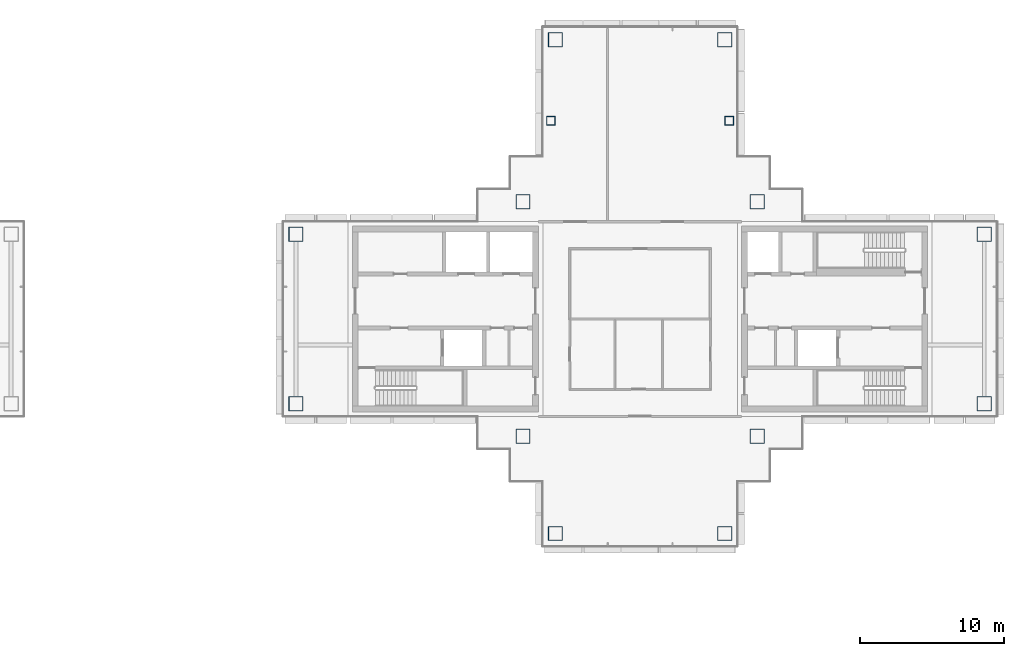
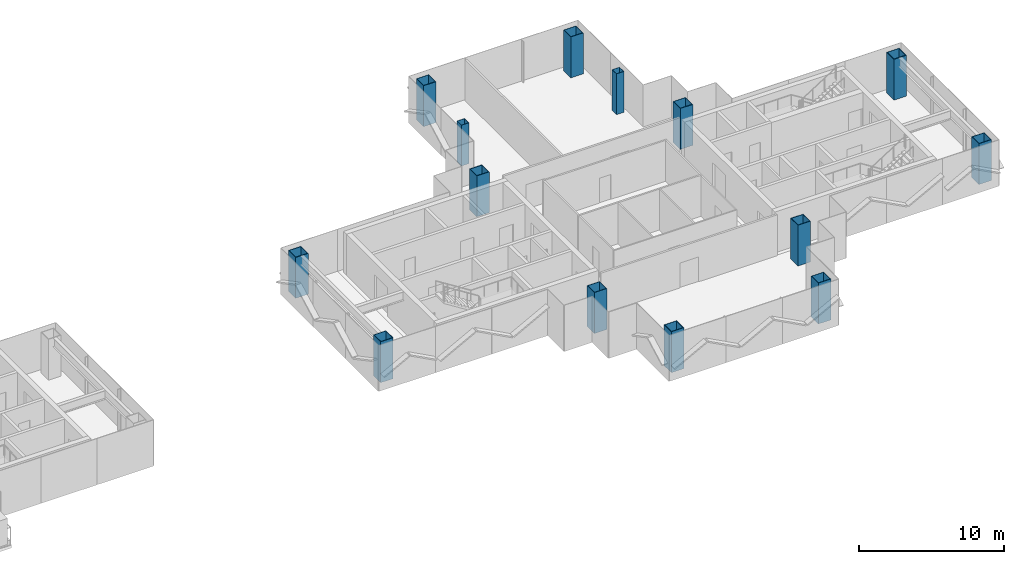
# One storey, part 2 of 17: 14 columns.
"""IFC4 building model written with IfcOpenShell, lengths in metres."""

import ifcopenshell
import ifcopenshell.guid

model = None  # the IFC model being written
_history = None  # IfcOwnerHistory: only IFC2X3 demands one
_inside = {}  # id of a spatial element -> (the spatial element, [elements in it])
_under = {}  # id of a project, library or spatial element -> (it, [spatial elements below it])
_declared = {}  # id of a project -> (the project, [libraries it declares])
_typed = {}  # id of a type object -> (the type object, [elements of that type])
_made_of = {}  # id of a material, layer set ... -> (it, [elements and type objects made of it])


def new_model(schema):
    """Start an empty IFC model of exactly this schema.

    Asked for "IFC4X3", IfcOpenShell would pick the latest addendum, in which some entities
    have other attributes; the version numbers below select the first issue.
    IFC2X3 requires an IfcOwnerHistory on every rooted entity: one is made here for all.
    """
    global model, _history
    if schema == "IFC4X3":
        model = ifcopenshell.file(schema_version=(4, 3, 0, 0))
    else:
        model = ifcopenshell.file(schema=schema)
    _inside.clear()
    _under.clear()
    _declared.clear()
    _typed.clear()
    _made_of.clear()
    _history = None
    if model.schema == "IFC2X3":
        org = make("IfcOrganization", Name="unknown")
        user = make(
            "IfcPersonAndOrganization",
            ThePerson=make("IfcPerson", FamilyName="unknown"),
            TheOrganization=org,
        )
        app = make(
            "IfcApplication",
            ApplicationDeveloper=org,
            Version="unknown",
            ApplicationFullName="unknown",
            ApplicationIdentifier="unknown",
        )
        _history = make(
            "IfcOwnerHistory",
            OwningUser=user,
            OwningApplication=app,
            ChangeAction="ADDED",
            CreationDate=0,
        )
    return model


def make(cls, **values):
    """One entity of the class cls with the attributes given. An attribute that is None is left unset."""
    return model.create_entity(
        cls, **{name: value for name, value in values.items() if value is not None}
    )


def rooted(cls, **values):
    """An entity with a GlobalId (a new one), such as an element, a storey or a relation."""
    return make(cls, GlobalId=ifcopenshell.guid.new(), OwnerHistory=_history, **values)


def si_unit(unit_type, name, prefix=None):
    """IfcSIUnit, for example si_unit("LENGTHUNIT", "METRE", prefix="MILLI")."""
    return make("IfcSIUnit", UnitType=unit_type, Prefix=prefix, Name=name)


def assignment(units):
    """IfcUnitAssignment: the units of a project."""
    return None if units is None else make("IfcUnitAssignment", Units=units)


def point(xyz):
    """IfcCartesianPoint."""
    return None if xyz is None else make("IfcCartesianPoint", Coordinates=xyz)


def direction(xyz):
    """IfcDirection."""
    return None if xyz is None else make("IfcDirection", DirectionRatios=xyz)


def frame(location, z_axis=None, x_axis=None):
    """IfcAxis2Placement3D, a coordinate frame: its origin and axes. An axis left out is left unset."""
    return make(
        "IfcAxis2Placement3D",
        Location=point(location),
        Axis=direction(z_axis),
        RefDirection=direction(x_axis),
    )


def frame_2d(location, x_axis=None):
    """IfcAxis2Placement2D, a coordinate frame in the plane: its origin and x axis."""
    return make(
        "IfcAxis2Placement2D", Location=point(location), RefDirection=direction(x_axis)
    )


def origin():
    """The frame at (0, 0, 0) with its axes left unset."""
    return frame((0.0, 0.0, 0.0))


def origin_2d():
    """The frame at (0, 0) in the plane with its x axis left unset."""
    return frame_2d((0.0, 0.0))


def place(relative_to, where):
    """IfcLocalPlacement: puts the frame where relative to a parent placement (None: the world)."""
    return make(
        "IfcLocalPlacement", PlacementRelTo=relative_to, RelativePlacement=where
    )


def context(
    kind, dimensions, precision=None, world=None, true_north=None, identifier=None
):
    """IfcGeometricRepresentationContext, for example the 3D "Model" context."""
    return make(
        "IfcGeometricRepresentationContext",
        ContextIdentifier=identifier,
        ContextType=kind,
        CoordinateSpaceDimension=dimensions,
        Precision=precision,
        WorldCoordinateSystem=world,
        TrueNorth=true_north,
    )


def subcontext(parent, identifier, kind, view, scale=None):
    """IfcGeometricRepresentationSubContext, for example "Body" below "Model"."""
    return make(
        "IfcGeometricRepresentationSubContext",
        ContextIdentifier=identifier,
        ContextType=kind,
        ParentContext=parent,
        TargetScale=scale,
        TargetView=view,
    )


def project(units=None, contexts=None):
    """IfcProject with its units and contexts."""
    return rooted(
        "IfcProject",
        Name="project",
        RepresentationContexts=contexts,
        UnitsInContext=assignment(units),
    )


def spatial(cls, under=None, at=None, **own):
    """A site, building, storey or space (cls), placed at a placement, below another one or the project."""
    s = rooted(cls, ObjectPlacement=at, **own)
    if under is not None:
        _under.setdefault(under.id(), (under, []))[1].append(s)
    return s


def profile(cls, at=None, kind="AREA", **sizes):
    """A parametric profile (cls). Its sizes go by their IFC names, for example OverallWidth=200.0."""
    return make(cls, ProfileType=kind, Position=at, **sizes)


def hollow_rectangle(**sizes):
    """IfcRectangleHollowProfileDef."""
    return profile("IfcRectangleHollowProfileDef", **sizes)


def extrude(swept, where, along, depth):
    """IfcExtrudedAreaSolid: the profile swept, set in the frame where, extruded along a direction by depth."""
    return make(
        "IfcExtrudedAreaSolid",
        SweptArea=swept,
        Position=where,
        ExtrudedDirection=direction(along),
        Depth=depth,
    )


def shape(context_of_items, identifier, shape_type, items):
    """IfcShapeRepresentation: the items that make up one representation, for example the "Body"."""
    return make(
        "IfcShapeRepresentation",
        ContextOfItems=context_of_items,
        RepresentationIdentifier=identifier,
        RepresentationType=shape_type,
        Items=items,
    )


def material(Name=None, Category=None):
    """IfcMaterial."""
    return make("IfcMaterial", Name=Name, Category=Category)


def material_profile(
    of_material, cross_section, Name=None, Category=None, Priority=None
):
    """IfcMaterialProfile: a cross section and its material."""
    return make(
        "IfcMaterialProfile",
        Name=Name,
        Material=of_material,
        Profile=cross_section,
        Priority=Priority,
        Category=Category,
    )


def profile_set(profiles, Name=None, composite=None):
    """IfcMaterialProfileSet."""
    return make(
        "IfcMaterialProfileSet",
        Name=Name,
        MaterialProfiles=profiles,
        CompositeProfile=composite,
    )


def made_of(thing, what):
    """Note that an element or type object is made of a material, layer set ...; save() writes the relation."""
    if what is not None:
        _made_of.setdefault(what.id(), (what, []))[1].append(thing)
    return thing


def type_object(cls, material=None, **own):
    """A type object (cls), such as IfcWallType, which elements share."""
    return made_of(rooted(cls, **own), material)


def element(
    cls,
    number,
    at=None,
    inside=None,
    cuts=None,
    type_object=None,
    material=None,
    context=None,
    identifier="Body",
    shape_type=None,
    held_by="IfcProductDefinitionShape",
    body=None,
    shapes=None,
    **own,
):
    """One element of the class cls, such as IfcWall. Its Tag is "e" and its number.

    at: its placement. inside: the storey or other place that contains it. cuts: it is an
    opening in that element (IfcRelVoidsElement). A single representation is given by context,
    identifier, shape_type and body (its items); several are given by shapes. held_by: the class
    of the entity that holds the representations. save() writes the other relations.
    """
    e = rooted(cls, Tag="e%d" % number, ObjectPlacement=at, **own)
    if body is not None:
        shapes = [shape(context, identifier, shape_type, body)]
    if shapes is not None:
        e.Representation = make(held_by, Representations=shapes)
    if inside is not None:
        _inside.setdefault(inside.id(), (inside, []))[1].append(e)
    if cuts is not None:
        rooted(
            "IfcRelVoidsElement", RelatingBuildingElement=cuts, RelatedOpeningElement=e
        )
    if type_object is not None:
        _typed.setdefault(type_object.id(), (type_object, []))[1].append(e)
    return made_of(e, material)


def aggregate(whole, parts):
    """IfcRelAggregates: a whole, such as a stair, and the parts it consists of."""
    return rooted("IfcRelAggregates", RelatingObject=whole, RelatedObjects=parts)


def save(model, path):
    """Write the relations noted so far, then the file.

    IfcRelAggregates (storeys below a building ...), IfcRelContainedInSpatialStructure (elements
    in a storey), IfcRelDefinesByType, IfcRelAssociatesMaterial and IfcRelDeclares: one each for
    every whole, place, type object, material and project.
    """
    for whole, parts in _under.values():
        aggregate(whole, parts)
    for where, things in _inside.values():
        rooted(
            "IfcRelContainedInSpatialStructure",
            RelatedElements=things,
            RelatingStructure=where,
        )
    for kind, things in _typed.values():
        rooted("IfcRelDefinesByType", RelatedObjects=things, RelatingType=kind)
    for what, things in _made_of.values():
        rooted("IfcRelAssociatesMaterial", RelatedObjects=things, RelatingMaterial=what)
    for by, libraries in _declared.values():
        rooted("IfcRelDeclares", RelatingContext=by, RelatedDefinitions=libraries)
    model.write(path)


model = new_model("IFC4")

# Units and contexts
model_context = context("Model", 3, precision=1e-05, world=origin(), true_north=direction((0.0, 1.0)))
body_context = subcontext(model_context, "Body", "Model", "MODEL_VIEW")
ifc_project = project(units=[si_unit("LENGTHUNIT", "METRE"), si_unit("AREAUNIT", "SQUARE_METRE"), si_unit("VOLUMEUNIT", "CUBIC_METRE"), si_unit("PLANEANGLEUNIT", "RADIAN"), si_unit("MASSUNIT", "GRAM", prefix="KILO")], contexts=[model_context])

# Site, building, storey
site_placement = place(None, origin())
site = spatial("IfcSite", under=ifc_project, at=site_placement, CompositionType="ELEMENT")
building_placement = place(site_placement, origin())
building = spatial("IfcBuilding", under=site, at=building_placement, Name="Shamsa Quay Exchange Towers", CompositionType="ELEMENT")
storey_placement = place(building_placement, frame((0.0, 0.0, 221.699951171875)))
storey = spatial("IfcBuildingStorey", under=building, at=storey_placement, Name="L53", CompositionType="ELEMENT", Elevation=221.699951171875)

# Columns
ifc_material_1 = material(Name="Concrete-filled steel tube S355 / C80/95", Category="concrete")
ifc_material_profile_1 = material_profile(ifc_material_1, hollow_rectangle(XDim=1.0, YDim=1.0, WallThickness=0.0400390625, at=origin_2d()), Name="CFT 1000x1000x40")
ifc_profile_set_1 = profile_set([ifc_material_profile_1], Name="Concrete-filled steel tube S355 / C80/95")
column_type_1 = type_object("IfcColumnType", Name="Column CFT 1000x1000x40", PredefinedType="COLUMN", material=ifc_profile_set_1)
for number, where, name in (
    (1, (25.625, 8.125, 0.0), "Mega column T2-CM01"),
    (2, (41.875, 8.125, 0.0), "Mega column T2-CM02"),
    (3, (25.625, -8.125, 0.0), "Mega column T2-CM03"),
    (4, (41.875, -8.125, 0.0), "Mega column T2-CM04"),
    (5, (39.625, 19.375, 0.0), "Mega column T2-CM06"),
    (6, (27.875, 19.375, 0.0), "Mega column T2-CM10"),
    (7, (39.625, -14.875, 0.0), "Mega column T2-CM13"),
    (8, (27.875, -14.875, 0.0), "Mega column T2-CM16"),
    (9, (9.875, -5.875, 0.0), "Mega column T2-CM19"),
    (10, (9.875, 5.875, 0.0), "Mega column T2-CM20"),
    (11, (57.625, -5.875, 0.0), "Mega column T2-CM21"),
    (12, (57.625, 5.875, 0.0), "Mega column T2-CM23"),
):
    element("IfcColumn", number, at=place(storey_placement, frame(where)), inside=storey, type_object=column_type_1, Name=name, PredefinedType="COLUMN", context=body_context, shape_type="SweptSolid", body=[
        extrude(hollow_rectangle(XDim=1.0, YDim=1.0, WallThickness=0.0400390625, at=origin_2d()), origin(), (0.0, 0.0, 1.0), 3.449951171875),
    ])
ifc_material_2 = material(Name="Concrete-filled steel tube S355 / C60/75", Category="concrete")
ifc_material_profile_2 = material_profile(ifc_material_2, hollow_rectangle(XDim=0.60009765625, YDim=0.60009765625, WallThickness=0.02001953125, at=origin_2d()), Name="CFT 600x600x20")
ifc_profile_set_2 = profile_set([ifc_material_profile_2], Name="Concrete-filled steel tube S355 / C60/75")
column_type_2 = type_object("IfcColumnType", Name="Column CFT 600x600x20", PredefinedType="COLUMN", material=ifc_profile_set_2)
for number, where, name in (
    (13, (39.9375, 13.75, 0.0), "Perimeter column T2-CP05"),
    (14, (27.5625, 13.75, 0.0), "Perimeter column T2-CP09"),
):
    element("IfcColumn", number, at=place(storey_placement, frame(where)), inside=storey, type_object=column_type_2, Name=name, PredefinedType="COLUMN", context=body_context, shape_type="SweptSolid", body=[
        extrude(hollow_rectangle(XDim=0.60009765625, YDim=0.60009765625, WallThickness=0.02001953125, at=origin_2d()), origin(), (0.0, 0.0, 1.0), 3.449951171875),
    ])

save(model, "model.ifc")
